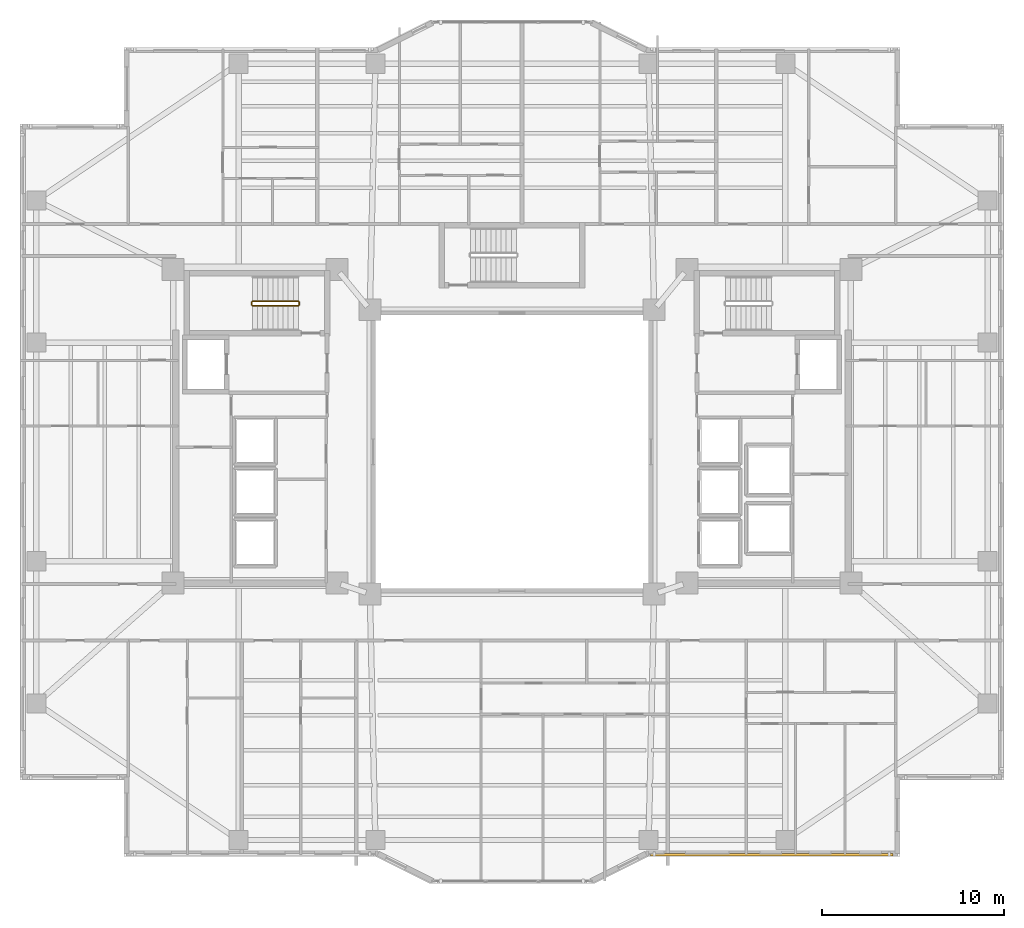
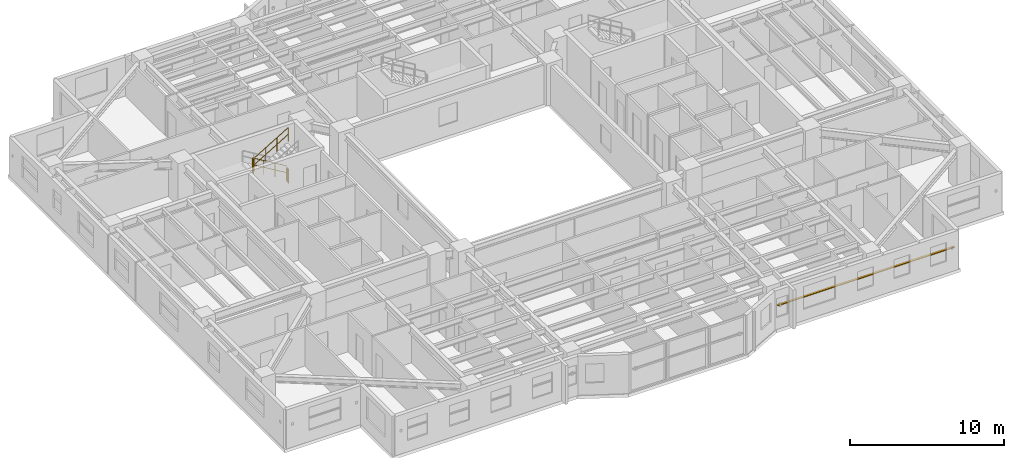
# One storey, part 16 of 19: 4 railings, 1 shading device.
"""IFC4 building model written with IfcOpenShell, lengths in metres."""

from ifc_helpers import new_model, si_unit, direction, frame, origin, origin_2d, place, context, subcontext, project, spatial, rectangle, circle, extrude, material, material_profile, profile_set, type_object, element, save


model = new_model("IFC4")

# Units and contexts
model_context = context("Model", 3, precision=1e-05, world=origin(), true_north=direction((0.0, 1.0)))
body_context = subcontext(model_context, "Body", "Model", "MODEL_VIEW")
ifc_project = project(units=[si_unit("LENGTHUNIT", "METRE"), si_unit("AREAUNIT", "SQUARE_METRE"), si_unit("VOLUMEUNIT", "CUBIC_METRE"), si_unit("PLANEANGLEUNIT", "RADIAN"), si_unit("MASSUNIT", "GRAM", prefix="KILO")], contexts=[model_context])

# Site, building, storey
site_placement = place(None, origin())
site = spatial("IfcSite", under=ifc_project, at=site_placement, CompositionType="ELEMENT")
building_placement = place(site_placement, origin())
building = spatial("IfcBuilding", under=site, at=building_placement, Name="Tarnavaz Court Tower", CompositionType="ELEMENT")
storey_placement = place(building_placement, frame((0.0, 0.0, 111.800048828125)))
storey = spatial("IfcBuildingStorey", under=building, at=storey_placement, Name="L30", CompositionType="ELEMENT", Elevation=111.800048828125)

# Railings
ifc_material_1 = material(Name="Galvanized Painted Tubular Steel", Category="steel")
railing_type = type_object("IfcRailingType", Name="RL-STGUARD-1120", PredefinedType="GUARDRAIL", material=ifc_material_1)
railing_1_placement = place(storey_placement, frame((-11.719970703125, 8.27001953125, 0.16748046875)))
element("IfcRailing", 1, at=railing_1_placement, inside=storey, type_object=railing_type, Name="L30 ST-W1 stair guard 1", PredefinedType="GUARDRAIL", context=body_context, shape_type="SweptSolid", body=[
    extrude(circle(Radius=0.02392578125, at=origin_2d()), frame((0.0, 0.0, 1.09619140625), z_axis=(-0.858159760407, 0.0, 0.513382728203), x_axis=(0.0, -1.0, 0.0)), (0.0, 0.0, 1.0), 2.9365234375),
    extrude(circle(Radius=0.02392578125, at=origin_2d()), frame((0.0, 0.0, 0.56005859375), z_axis=(-0.858159760407, 0.0, 0.513382728203), x_axis=(0.0, -1.0, 0.0)), (0.0, 0.0, 1.0), 2.9365234375),
    extrude(circle(Radius=0.02099609375, at=origin_2d()), origin(), (0.0, 0.0, 1.0), 1.072021484375),
    extrude(circle(Radius=0.02099609375, at=origin_2d()), frame((-0.840087890625, 0.0, 0.50244140625)), (0.0, 0.0, 1.0), 1.072021484375),
    extrude(circle(Radius=0.02099609375, at=origin_2d()), frame((-1.679931640625, 0.0, 1.005126953125)), (0.0, 0.0, 1.0), 1.072021484375),
    extrude(circle(Radius=0.02099609375, at=origin_2d()), frame((-2.52001953125, 0.0, 1.507568359375)), (0.0, 0.0, 1.0), 1.072021484375),
])
railing_2_placement = place(storey_placement, frame((-14.2900390625, 8.219970703125, 1.675048828125)))
element("IfcRailing", 2, at=railing_2_placement, inside=storey, type_object=railing_type, Name="L30 ST-W1 stair guard 2", PredefinedType="GUARDRAIL", context=body_context, shape_type="SweptSolid", body=[
    extrude(circle(Radius=0.02392578125, at=origin_2d()), frame((0.0, 0.0, 1.09619140625), z_axis=(0.0, -1.0, 0.0), x_axis=(1.0, 0.0, 0.0)), (0.0, 0.0, 1.0), 0.14990234375),
    extrude(circle(Radius=0.02392578125, at=origin_2d()), frame((0.0, 0.0, 0.56005859375), z_axis=(0.0, -1.0, 0.0), x_axis=(1.0, 0.0, 0.0)), (0.0, 0.0, 1.0), 0.14990234375),
    extrude(circle(Radius=0.02099609375, at=origin_2d()), origin(), (0.0, 0.0, 1.0), 1.072021484375),
    extrude(circle(Radius=0.02099609375, at=origin_2d()), frame((0.0, -0.14990234375, 0.0)), (0.0, 0.0, 1.0), 1.072021484375),
])
railing_3_placement = place(storey_placement, frame((-14.239990234375, 8.02001953125, 1.842529296875)))
element("IfcRailing", 3, at=railing_3_placement, inside=storey, type_object=railing_type, Name="L30 ST-W1 stair guard 3", PredefinedType="GUARDRAIL", context=body_context, shape_type="SweptSolid", body=[
    extrude(circle(Radius=0.02392578125, at=origin_2d()), frame((0.0, 0.0, 1.09619140625), z_axis=(0.858196387827, 0.0, 0.513321497621), x_axis=(0.0, 1.0, 0.0)), (0.0, 0.0, 1.0), 2.9365234375),
    extrude(circle(Radius=0.02392578125, at=origin_2d()), frame((0.0, 0.0, 0.56005859375), z_axis=(0.858196387827, 0.0, 0.513321497621), x_axis=(0.0, 1.0, 0.0)), (0.0, 0.0, 1.0), 2.9365234375),
    extrude(circle(Radius=0.02099609375, at=origin_2d()), origin(), (0.0, 0.0, 1.0), 1.072021484375),
    extrude(circle(Radius=0.02099609375, at=origin_2d()), frame((0.840087890625, 0.0, 0.50244140625)), (0.0, 0.0, 1.0), 1.072021484375),
    extrude(circle(Radius=0.02099609375, at=origin_2d()), frame((1.679931640625, 0.0, 1.0048828125)), (0.0, 0.0, 1.0), 1.072021484375),
    extrude(circle(Radius=0.02099609375, at=origin_2d()), frame((2.52001953125, 0.0, 1.50732421875)), (0.0, 0.0, 1.0), 1.072021484375),
])
railing_4_placement = place(storey_placement, frame((-11.669921875, 8.219970703125, 0.0)))
element("IfcRailing", 4, at=railing_4_placement, inside=storey, type_object=railing_type, Name="L30 ST-W1 stair guard 4", PredefinedType="GUARDRAIL", context=body_context, shape_type="SweptSolid", body=[
    extrude(circle(Radius=0.02392578125, at=origin_2d()), frame((0.0, 0.0, 1.09619140625), z_axis=(0.0, -1.0, 0.0), x_axis=(1.0, 0.0, 0.0)), (0.0, 0.0, 1.0), 0.14990234375),
    extrude(circle(Radius=0.02392578125, at=origin_2d()), frame((0.0, 0.0, 0.56005859375), z_axis=(0.0, -1.0, 0.0), x_axis=(1.0, 0.0, 0.0)), (0.0, 0.0, 1.0), 0.14990234375),
    extrude(circle(Radius=0.02099609375, at=origin_2d()), origin(), (0.0, 0.0, 1.0), 1.072021484375),
    extrude(circle(Radius=0.02099609375, at=origin_2d()), frame((0.0, -0.14990234375, 0.0)), (0.0, 0.0, 1.0), 1.072021484375),
])

# Shading device
ifc_material_2 = material(Name="Kiln-Fired Khorasan Terracotta Ceramic", Category="masonry")
ifc_material_profile = material_profile(ifc_material_2, rectangle(XDim=0.14990234375, YDim=0.06494140625, at=origin_2d()), Name="TC BAGUETTE 150X65")
ifc_profile_set = profile_set([ifc_material_profile], Name="Kiln-Fired Khorasan Terracotta Ceramic")
shading_device_type = type_object("IfcShadingDeviceType", Name="SD-BAG-150", PredefinedType="USERDEFINED", material=ifc_profile_set)
shading_device_placement = place(storey_placement, frame((20.89990234375, -22.110107421875, 1.849853515625), z_axis=(-1.0, 0.0, 0.0), x_axis=(0.0, -1.0, 0.0)))
element("IfcShadingDevice", 5, at=shading_device_placement, inside=storey, type_object=shading_device_type, Name="L30 Terracotta Baguette Screen FBG15", ObjectType="BAGUETTE", PredefinedType="USERDEFINED", context=body_context, shape_type="SweptSolid", body=[
    extrude(rectangle(XDim=0.14990234375, YDim=0.06494140625, at=origin_2d()), origin(), (0.0, 0.0, 1.0), 13.2998046875),
])

save(model, "model.ifc")
